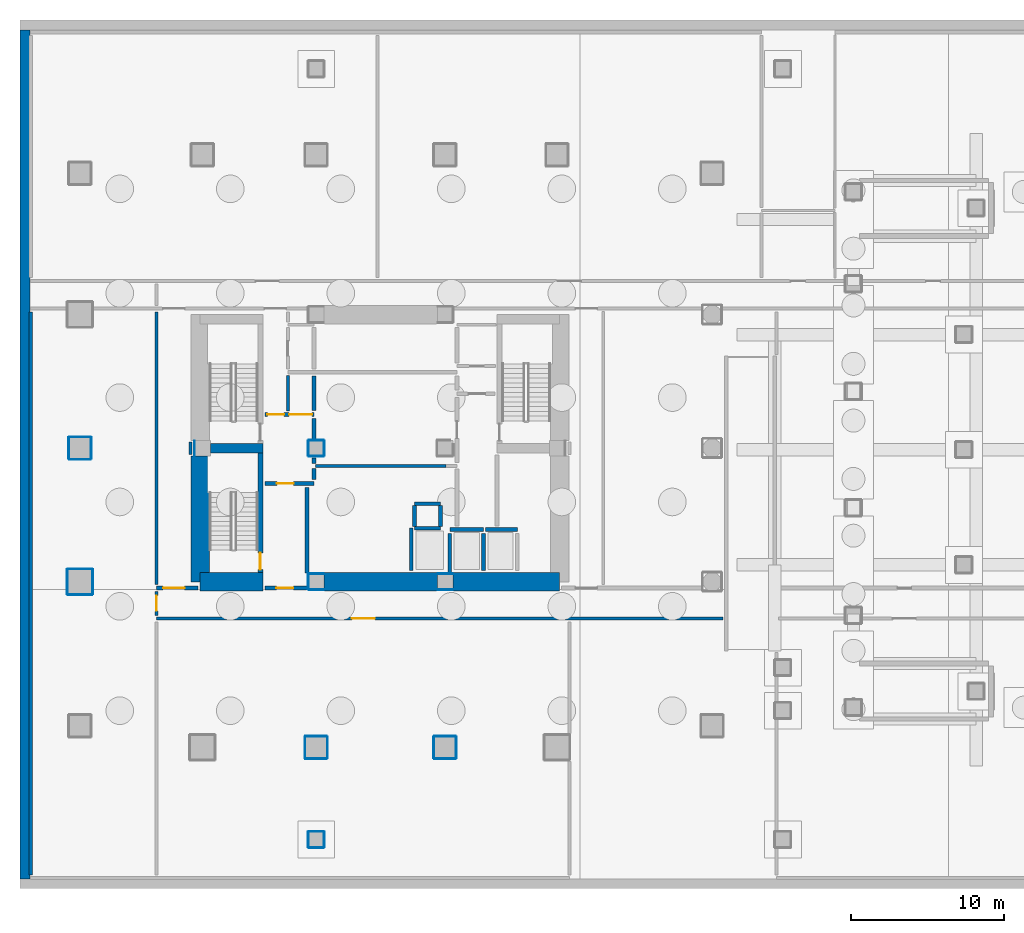
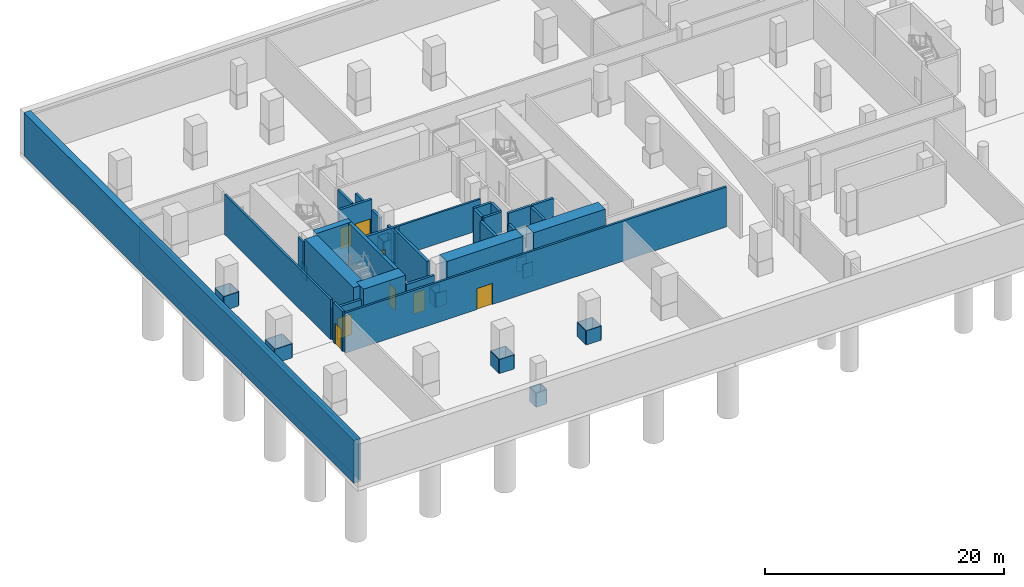
# One storey, part 3 of 13: 62 walls, 8 doors, 8 openings.
"""IFC4 building model written with IfcOpenShell, lengths in metres."""

from ifc_helpers import new_model, si_unit, direction, frame, frame_2d, origin, place, context, subcontext, project, spatial, rectangle, extrude, material, layer, layer_set, type_object, element, fill, save


model = new_model("IFC4")

# Units and contexts
model_context = context("Model", 3, precision=1e-05, world=origin(), true_north=direction((0.0, 1.0)))
body_context = subcontext(model_context, "Body", "Model", "MODEL_VIEW")
ifc_project = project(units=[si_unit("LENGTHUNIT", "METRE"), si_unit("AREAUNIT", "SQUARE_METRE"), si_unit("VOLUMEUNIT", "CUBIC_METRE"), si_unit("PLANEANGLEUNIT", "RADIAN"), si_unit("MASSUNIT", "GRAM", prefix="KILO")], contexts=[model_context])

# Site, building, storey
site_placement = place(None, origin())
site = spatial("IfcSite", under=ifc_project, at=site_placement, CompositionType="ELEMENT")
building_placement = place(site_placement, origin())
building = spatial("IfcBuilding", under=site, at=building_placement, Name="Solanera Arch Residences", CompositionType="ELEMENT")
storey_placement = place(building_placement, frame((0.0, 0.0, -13.199951171875)))
storey = spatial("IfcBuildingStorey", under=building, at=storey_placement, Name="B03", CompositionType="ELEMENT", Elevation=-13.199951171875)

# Walls
ifc_material_1 = material(Name="Fire-Rated Gypsum Stud Partition", Category="gypsum")
ifc_layer_1 = layer(ifc_material_1, 0.06005859375)
ifc_layer_set_1 = layer_set([ifc_layer_1], Name="Fire-Rated Gypsum Stud Partition")
wall_type_1 = type_object("IfcWallType", Name="Column Acoustic Furring Wall 60", PredefinedType="PARTITIONING", material=ifc_layer_set_1)
for number, where, z_axis, x_axis, name in (
    (1, (20.300048828125, 21.468017578125, 0.0), (0.0, 0.0, 1.0), (1.0, 0.0, 0.0), "B03 Column Furring 1S"),
    (2, (20.300048828125, 22.531982421875, 0.0), (0.0, 0.0, 1.0), (1.0, 0.0, 0.0), "B03 Column Furring 1N"),
):
    element("IfcWall", number, at=place(storey_placement, frame(where, z_axis=z_axis, x_axis=x_axis)), inside=storey, type_object=wall_type_1, Name=name, PredefinedType="PARTITIONING", context=body_context, shape_type="SweptSolid", body=[
        extrude(rectangle(XDim=0.989990234375, YDim=0.06005859375, at=frame_2d((0.4951171875, 0.0))), origin(), (0.0, 0.0, 1.0), 1.449951171875),
    ])
wall_1_placement = place(storey_placement, frame((20.26806640625, 21.5, 0.0), z_axis=(0.0, 0.0, 1.0), x_axis=(0.0, 1.0, 0.0)))
element("IfcWall", 3, at=wall_1_placement, inside=storey, type_object=wall_type_1, Name="B03 Column Furring 1W", PredefinedType="PARTITIONING", context=body_context, shape_type="SweptSolid", body=[
    extrude(rectangle(XDim=1.0, YDim=0.06005859375, at=frame_2d((0.5, 0.0))), origin(), (0.0, 0.0, 1.0), 1.449951171875),
])
for number, where, z_axis, x_axis, name in (
    (4, (28.7099609375, 21.468017578125, 0.0), (0.0, 0.0, 1.0), (1.0, 0.0, 0.0), "B03 Column Furring 2S"),
    (5, (28.7099609375, 22.531982421875, 0.0), (0.0, 0.0, 1.0), (1.0, 0.0, 0.0), "B03 Column Furring 2N"),
    (6, (12.867919921875, 30.2099609375, 0.0), (0.0, 0.0, 1.0), (0.0, 1.0, 0.0), "B03 Column Furring 5W"),
):
    element("IfcWall", number, at=place(storey_placement, frame(where, z_axis=z_axis, x_axis=x_axis)), inside=storey, type_object=wall_type_1, Name=name, PredefinedType="PARTITIONING", context=body_context, shape_type="SweptSolid", body=[
        extrude(rectangle(XDim=0.97998046875, YDim=0.06005859375, at=frame_2d((0.489990234375, 0.0))), origin(), (0.0, 0.0, 1.0), 1.449951171875),
    ])
for number, where, z_axis, x_axis, name in (
    (7, (20.300048828125, 30.16796875, 0.0), (0.0, 0.0, 1.0), (1.0, 0.0, 0.0), "B03 Column Furring 7S"),
    (8, (20.300048828125, 31.23193359375, 0.0), (0.0, 0.0, 1.0), (1.0, 0.0, 0.0), "B03 Column Furring 7N"),
    (9, (20.26806640625, 30.199951171875, 0.0), (0.0, 0.0, 1.0), (0.0, 1.0, 0.0), "B03 Column Furring 7W"),
    (10, (21.33203125, 30.199951171875, 0.0), (0.0, 0.0, 1.0), (0.0, 1.0, 0.0), "B03 Column Furring 7E"),
):
    element("IfcWall", number, at=place(storey_placement, frame(where, z_axis=z_axis, x_axis=x_axis)), inside=storey, type_object=wall_type_1, Name=name, PredefinedType="PARTITIONING", context=body_context, shape_type="SweptSolid", body=[
        extrude(rectangle(XDim=1.0, YDim=0.06005859375, at=frame_2d((0.5, 0.0))), origin(), (0.0, 0.0, 1.0), 1.449951171875),
    ])
for number, where, z_axis, x_axis, name in (
    (11, (4.60009765625, 21.16796875, 0.0), (0.0, 0.0, 1.0), (1.0, 0.0, 0.0), "B03 Column Furring 15S"),
    (12, (4.60009765625, 22.83203125, 0.0), (0.0, 0.0, 1.0), (1.0, 0.0, 0.0), "B03 Column Furring 15N"),
):
    element("IfcWall", number, at=place(storey_placement, frame(where, z_axis=z_axis, x_axis=x_axis)), inside=storey, type_object=wall_type_1, Name=name, PredefinedType="PARTITIONING", context=body_context, shape_type="SweptSolid", body=[
        extrude(rectangle(XDim=1.599853515625, YDim=0.06005859375, at=frame_2d((0.7998046875, 0.0))), origin(), (0.0, 0.0, 1.0), 1.449951171875),
    ])
for number, where, z_axis, x_axis, name in (
    (13, (4.568115234375, 21.199951171875, 0.0), (0.0, 0.0, 1.0), (0.0, 1.0, 0.0), "B03 Column Furring 15W"),
    (14, (6.23193359375, 21.199951171875, 0.0), (0.0, 0.0, 1.0), (0.0, 1.0, 0.0), "B03 Column Furring 15E"),
):
    element("IfcWall", number, at=place(storey_placement, frame(where, z_axis=z_axis, x_axis=x_axis)), inside=storey, type_object=wall_type_1, Name=name, PredefinedType="PARTITIONING", context=body_context, shape_type="SweptSolid", body=[
        extrude(rectangle(XDim=1.60009765625, YDim=0.06005859375, at=frame_2d((0.800048828125, 0.0))), origin(), (0.0, 0.0, 1.0), 1.449951171875),
    ])
for number, where, z_axis, x_axis, name in (
    (15, (4.699951171875, 29.968017578125, 0.0), (0.0, 0.0, 1.0), (1.0, 0.0, 0.0), "B03 Column Furring 16S"),
    (16, (4.699951171875, 31.431884765625, 0.0), (0.0, 0.0, 1.0), (1.0, 0.0, 0.0), "B03 Column Furring 16N"),
):
    element("IfcWall", number, at=place(storey_placement, frame(where, z_axis=z_axis, x_axis=x_axis)), inside=storey, type_object=wall_type_1, Name=name, PredefinedType="PARTITIONING", context=body_context, shape_type="SweptSolid", body=[
        extrude(rectangle(XDim=1.400146484375, YDim=0.06005859375, at=frame_2d((0.7001953125, 0.0))), origin(), (0.0, 0.0, 1.0), 1.449951171875),
    ])
for number, where, z_axis, x_axis, name in (
    (17, (4.66796875, 30.0, 0.0), (0.0, 0.0, 1.0), (0.0, 1.0, 0.0), "B03 Column Furring 16W"),
    (18, (6.132080078125, 30.0, 0.0), (0.0, 0.0, 1.0), (0.0, 1.0, 0.0), "B03 Column Furring 16E"),
    (19, (20.10009765625, 10.468017578125, 0.0), (0.0, 0.0, 1.0), (1.0, 0.0, 0.0), "B03 Column Furring 25S"),
    (20, (20.10009765625, 11.931884765625, 0.0), (0.0, 0.0, 1.0), (1.0, 0.0, 0.0), "B03 Column Furring 25N"),
    (21, (20.068115234375, 10.5, 0.0), (0.0, 0.0, 1.0), (0.0, 1.0, 0.0), "B03 Column Furring 25W"),
    (22, (21.531982421875, 10.5, 0.0), (0.0, 0.0, 1.0), (0.0, 1.0, 0.0), "B03 Column Furring 25E"),
    (23, (28.5, 10.468017578125, 0.0), (0.0, 0.0, 1.0), (1.0, 0.0, 0.0), "B03 Column Furring 26S"),
    (24, (28.5, 11.931884765625, 0.0), (0.0, 0.0, 1.0), (1.0, 0.0, 0.0), "B03 Column Furring 26N"),
    (25, (28.468017578125, 10.5, 0.0), (0.0, 0.0, 1.0), (0.0, 1.0, 0.0), "B03 Column Furring 26W"),
    (26, (29.931884765625, 10.5, 0.0), (0.0, 0.0, 1.0), (0.0, 1.0, 0.0), "B03 Column Furring 26E"),
):
    element("IfcWall", number, at=place(storey_placement, frame(where, z_axis=z_axis, x_axis=x_axis)), inside=storey, type_object=wall_type_1, Name=name, PredefinedType="PARTITIONING", context=body_context, shape_type="SweptSolid", body=[
        extrude(rectangle(XDim=1.39990234375, YDim=0.06005859375, at=frame_2d((0.699951171875, 0.0))), origin(), (0.0, 0.0, 1.0), 1.449951171875),
    ])
for number, where, z_axis, x_axis, name in (
    (27, (20.300048828125, 4.66796875, 0.0), (0.0, 0.0, 1.0), (1.0, 0.0, 0.0), "B03 Column Furring 35S"),
    (28, (20.300048828125, 5.73193359375, 0.0), (0.0, 0.0, 1.0), (1.0, 0.0, 0.0), "B03 Column Furring 35N"),
    (29, (20.26806640625, 4.699951171875, 0.0), (0.0, 0.0, 1.0), (0.0, 1.0, 0.0), "B03 Column Furring 35W"),
    (30, (21.33203125, 4.699951171875, 0.0), (0.0, 0.0, 1.0), (0.0, 1.0, 0.0), "B03 Column Furring 35E"),
):
    element("IfcWall", number, at=place(storey_placement, frame(where, z_axis=z_axis, x_axis=x_axis)), inside=storey, type_object=wall_type_1, Name=name, PredefinedType="PARTITIONING", context=body_context, shape_type="SweptSolid", body=[
        extrude(rectangle(XDim=1.0, YDim=0.06005859375, at=frame_2d((0.5, 0.0))), origin(), (0.0, 0.0, 1.0), 1.449951171875),
    ])
ifc_material_2 = material(Name="Concrete C55/67 (f'c = 60 MPa)", Category="concrete")
ifc_layer_2 = layer(ifc_material_2, 1.199951171875)
ifc_layer_set_2 = layer_set([ifc_layer_2], Name="Concrete C55/67 (f'c = 60 MPa)")
wall_type_2 = type_object("IfcWallType", Name="Core Shear Wall CW-1200", PredefinedType="SHEAR", material=ifc_layer_set_2)
wall_2_placement = place(storey_placement, frame((13.239990234375, 22.0, 0.0), z_axis=(0.0, 0.0, 1.0), x_axis=(0.0, 1.0, 0.0)))
element("IfcWall", 31, at=wall_2_placement, inside=storey, type_object=wall_type_2, Name="B03 West Core South Shear Wall", PredefinedType="SHEAR", context=body_context, shape_type="SweptSolid", body=[
    extrude(rectangle(XDim=8.195068359375, YDim=1.199951171875, at=frame_2d((4.09765625, 0.0))), origin(), (0.0, 0.0, 1.0), 4.39990234375),
])
wall_3_placement = place(storey_placement, frame((13.239990234375, 22.0, 0.0), z_axis=(0.0, 0.0, 1.0), x_axis=(1.0, 0.0, 0.0)))
element("IfcWall", 32, at=wall_3_placement, inside=storey, type_object=wall_type_2, Name="B03 South-West Core Shear Wall", PredefinedType="SHEAR", context=body_context, shape_type="SweptSolid", body=[
    extrude(rectangle(XDim=4.080078125, YDim=1.199951171875, at=frame_2d((2.0400390625, 0.0))), origin(), (0.0, 0.0, 1.0), 4.39990234375),
])
wall_4_placement = place(storey_placement, frame((29.705078125, 22.0, 0.0), z_axis=(0.0, 0.0, 1.0), x_axis=(1.0, 0.0, 0.0)))
element("IfcWall", 33, at=wall_4_placement, inside=storey, type_object=wall_type_2, Name="B03 South-East Core Shear Wall", PredefinedType="SHEAR", context=body_context, shape_type="SweptSolid", body=[
    extrude(rectangle(XDim=6.954833984375, YDim=1.199951171875, at=frame_2d((3.4775390625, 0.0))), origin(), (0.0, 0.0, 1.0), 4.39990234375),
])
wall_5_placement = place(storey_placement, frame((21.304931640625, 22.0, 0.0), z_axis=(0.0, 0.0, 1.0), x_axis=(1.0, 0.0, 0.0)))
element("IfcWall", 34, at=wall_5_placement, inside=storey, type_object=wall_type_2, Name="B03 Central South Core Shear Wall", PredefinedType="SHEAR", context=body_context, shape_type="SweptSolid", body=[
    extrude(rectangle(XDim=7.39013671875, YDim=1.199951171875, at=frame_2d((3.695068359375, 0.0))), origin(), (0.0, 0.0, 1.0), 4.39990234375),
])

# Wall, opening, door
ifc_material_3 = material(Name="Concrete C40/50 (f'c = 45 MPa)", Category="concrete")
ifc_layer_3 = layer(ifc_material_3, 0.320068359375)
ifc_layer_set_3 = layer_set([ifc_layer_3], Name="Concrete C40/50 (f'c = 45 MPa)")
wall_type_3 = type_object("IfcWallType", Name="Core Shear Wall CW-320", PredefinedType="SHEAR", material=ifc_layer_set_3)
wall_6_placement = place(storey_placement, frame((17.159912109375, 22.60009765625, 0.0), z_axis=(0.0, 0.0, 1.0), x_axis=(0.0, 1.0, 0.0)))
wall_6 = element("IfcWall", 35, at=wall_6_placement, inside=storey, type_object=wall_type_3, Name="B03 Stair ST-T3 East Shear Wall", PredefinedType="SHEAR", context=body_context, shape_type="SweptSolid", body=[
    extrude(rectangle(XDim=7.7998046875, YDim=0.320068359375, at=frame_2d((3.89990234375, 0.0))), origin(), (0.0, 0.0, 1.0), 4.39990234375),
])
opening_1_placement = place(wall_6_placement, frame((0.18994140625, 0.0, 0.0)))
opening_1 = element("IfcOpeningElement", 36, at=opening_1_placement, cuts=wall_6, Name="Opening DF-01", PredefinedType="OPENING", context=body_context, shape_type="SweptSolid", body=[
    extrude(rectangle(XDim=1.10009765625, YDim=2.14990234375, at=frame_2d((0.550048828125, 1.074951171875))), frame((0.0, 0.169921875, 0.0), z_axis=(0.0, -1.0, 0.0), x_axis=(1.0, 0.0, 0.0)), (0.0, 0.0, 1.0), 0.3401),
])
ifc_material_4 = material(Name="Fire-Rated Architectural Hardwood", Category="wood")
door_type_1 = type_object("IfcDoorType", Name="Stair Exit Fire Door DF-01", OperationType="NOTDEFINED", PredefinedType="DOOR", material=ifc_material_4)
door_1_placement = place(opening_1_placement, origin())
door_1 = element("IfcDoor", 37, at=door_1_placement, inside=storey, type_object=door_type_1, Name="DR-B03-STAIR-ST-T3", OperationType="SINGLE_SWING_RIGHT", OverallHeight=2.14990234375, OverallWidth=1.10009765625, PredefinedType="DOOR", context=body_context, shape_type="SweptSolid", body=[
    extrude(rectangle(XDim=1.10009765625, YDim=2.14990234375, at=frame_2d((0.550048828125, 1.074951171875))), frame((0.0, 0.02490234375, 0.0), z_axis=(0.0, -1.0, 0.0), x_axis=(1.0, 0.0, 0.0)), (0.0, 0.0, 1.0), 0.050048828125),
])
fill(opening_1, door_1)

# Walls
ifc_material_5 = material(Name="Concrete C40/50 (f'c = 45 MPa)", Category="concrete")
ifc_layer_4 = layer(ifc_material_5, 0.60009765625)
ifc_layer_set_4 = layer_set([ifc_layer_4], Name="Concrete C40/50 (f'c = 45 MPa)")
wall_type_4 = type_object("IfcWallType", Name="Core Shear Wall CW-600", PredefinedType="SHEAR", material=ifc_layer_set_4)
wall_7_placement = place(storey_placement, frame((13.905029296875, 30.699951171875, 0.0), z_axis=(0.0, 0.0, 1.0), x_axis=(1.0, 0.0, 0.0)))
element("IfcWall", 38, at=wall_7_placement, inside=storey, type_object=wall_type_4, Name="B03 West Stair Divider Shear Wall", PredefinedType="SHEAR", context=body_context, shape_type="SweptSolid", body=[
    extrude(rectangle(XDim=3.4150390625, YDim=0.60009765625, at=frame_2d((1.70751953125, 0.0))), origin(), (0.0, 0.0, 1.0), 4.39990234375),
])
ifc_material_6 = material(Name="Autoclaved Aerated Concrete Blockwork", Category="masonry")
ifc_layer_5 = layer(ifc_material_6, 0.179931640625)
ifc_layer_set_5 = layer_set([ifc_layer_5], Name="Autoclaved Aerated Concrete Blockwork")
wall_type_5 = type_object("IfcWallType", Name="Corridor Fire Partition 180", PredefinedType="PARTITIONING", material=ifc_layer_set_5)
wall_8_placement = place(storey_placement, frame((20.760009765625, 29.550048828125, 0.0), z_axis=(0.0, 0.0, 1.0), x_axis=(1.0, 0.0, 0.0)))
element("IfcWall", 39, at=wall_8_placement, inside=storey, type_object=wall_type_5, Name="B03 Interior Partition H16 1", PredefinedType="PARTITIONING", context=body_context, shape_type="SweptSolid", body=[
    extrude(rectangle(XDim=8.47998046875, YDim=0.179931640625, at=frame_2d((4.239990234375, 0.0))), origin(), (0.0, 0.0, 1.0), 3.135009765625),
])
wall_9_placement = place(storey_placement, frame((12.60009765625, 30.287109375, 0.0), z_axis=(0.0, 0.0, 1.0), x_axis=(0.0, 1.0, 0.0)))
element("IfcWall", 40, at=wall_9_placement, inside=storey, type_object=wall_type_5, Name="B03 Interior Partition V17", PredefinedType="PARTITIONING", context=body_context, shape_type="SweptSolid", body=[
    extrude(rectangle(XDim=0.825927734375, YDim=0.179931640625, at=frame_2d((0.4130859375, 0.0))), origin(), (0.0, 0.0, 1.0), 4.099853515625),
])

# Wall, opening, door
ifc_material_7 = material(Name="Autoclaved Aerated Concrete Blockwork", Category="masonry")
ifc_layer_6 = layer(ifc_material_7, 0.199951171875)
ifc_layer_set_6 = layer_set([ifc_layer_6], Name="Autoclaved Aerated Concrete Blockwork")
wall_type_6 = type_object("IfcWallType", Name="Party Wall Acoustic 200", PredefinedType="PARTITIONING", material=ifc_layer_set_6)
wall_10_placement = place(storey_placement, frame((10.39990234375, 19.60009765625, 0.0), z_axis=(0.0, 0.0, 1.0), x_axis=(1.0, 0.0, 0.0)))
wall_10 = element("IfcWall", 41, at=wall_10_placement, inside=storey, type_object=wall_type_6, Name="B03 Interior Partition H9", PredefinedType="PARTITIONING", context=body_context, shape_type="SweptSolid", body=[
    extrude(rectangle(XDim=36.89208984375, YDim=0.199951171875, at=frame_2d((18.446044921875, 0.0))), origin(), (0.0, 0.0, 1.0), 4.099853515625),
])
opening_2_placement = place(wall_10_placement, frame((12.72412109375, 0.0, 0.0)))
opening_2 = element("IfcOpeningElement", 42, at=opening_2_placement, cuts=wall_10, Name="Opening DP-01", PredefinedType="OPENING", context=body_context, shape_type="SweptSolid", body=[
    extrude(rectangle(XDim=1.5, YDim=2.14990234375, at=frame_2d((0.75, 1.074951171875))), frame((0.0, 0.110107421875, 0.0), z_axis=(0.0, -1.0, 0.0), x_axis=(1.0, 0.0, 0.0)), (0.0, 0.0, 1.0), 0.22),
])
ifc_material_8 = material(Name="Fire-Rated Architectural Hardwood", Category="wood")
door_type_2 = type_object("IfcDoorType", Name="Plant Double Fire Door DP-01", OperationType="NOTDEFINED", PredefinedType="DOOR", material=ifc_material_8)
door_2_placement = place(opening_2_placement, origin())
door_2 = element("IfcDoor", 43, at=door_2_placement, inside=storey, type_object=door_type_2, Name="DR-B03-IN-022", OperationType="SINGLE_SWING_LEFT", OverallHeight=2.14990234375, OverallWidth=1.5, PredefinedType="DOOR", context=body_context, shape_type="SweptSolid", body=[
    extrude(rectangle(XDim=1.5, YDim=2.14990234375, at=frame_2d((0.75, 1.074951171875))), frame((0.0, 0.02490234375, 0.0), z_axis=(0.0, -1.0, 0.0), x_axis=(1.0, 0.0, 0.0)), (0.0, 0.0, 1.0), 0.050048828125),
])
fill(opening_2, door_2)

# Wall
wall_11_placement = place(storey_placement, frame((2.199951171875, 2.907958984375, 0.0), z_axis=(0.0, 0.0, 1.0), x_axis=(0.0, 1.0, 0.0)))
element("IfcWall", 44, at=wall_11_placement, inside=storey, type_object=wall_type_6, Name="B03 Interior Partition V6", PredefinedType="PARTITIONING", context=body_context, shape_type="SweptSolid", body=[
    extrude(rectangle(XDim=36.68408203125, YDim=0.199951171875, at=frame_2d((18.342041015625, 0.0))), origin(), (0.0, 0.0, 1.0), 4.099853515625),
])

# Wall, opening, door
wall_12_placement = place(storey_placement, frame((10.39990234375, 19.80810546875, 0.0), z_axis=(0.0, 0.0, 1.0), x_axis=(0.0, 1.0, 0.0)))
wall_12 = element("IfcWall", 45, at=wall_12_placement, inside=storey, type_object=wall_type_6, Name="B03 Interior Partition V8 2", PredefinedType="PARTITIONING", context=body_context, shape_type="SweptSolid", body=[
    extrude(rectangle(XDim=1.56396484375, YDim=0.199951171875, at=frame_2d((0.781982421875, 0.0))), origin(), (0.0, 0.0, 1.0), 4.099853515625),
])
opening_3_placement = place(wall_12_placement, frame((0.2919921875, 0.0, 0.0)))
opening_3 = element("IfcOpeningElement", 46, at=opening_3_placement, cuts=wall_12, Name="Opening DI-01", PredefinedType="OPENING", context=body_context, shape_type="SweptSolid", body=[
    extrude(rectangle(XDim=1.0, YDim=2.14990234375, at=frame_2d((0.5, 1.074951171875))), frame((0.0, 0.110107421875, 0.0), z_axis=(0.0, -1.0, 0.0), x_axis=(1.0, 0.0, 0.0)), (0.0, 0.0, 1.0), 0.22),
])
ifc_material_9 = material(Name="Fire-Rated Architectural Hardwood", Category="wood")
door_type_3 = type_object("IfcDoorType", Name="Unit Entrance Fire Door DI-01", OperationType="NOTDEFINED", PredefinedType="DOOR", material=ifc_material_9)
door_3_placement = place(opening_3_placement, origin())
door_3 = element("IfcDoor", 47, at=door_3_placement, inside=storey, type_object=door_type_3, Name="DR-B03-IN-019", OperationType="SINGLE_SWING_RIGHT", OverallHeight=2.14990234375, OverallWidth=1.0, PredefinedType="DOOR", context=body_context, shape_type="SweptSolid", body=[
    extrude(rectangle(XDim=1.0, YDim=2.14990234375, at=frame_2d((0.5, 1.074951171875))), frame((0.0, 0.02490234375, 0.0), z_axis=(0.0, -1.0, 0.0), x_axis=(1.0, 0.0, 0.0)), (0.0, 0.0, 1.0), 0.050048828125),
])
fill(opening_3, door_3)

# Walls
wall_13_placement = place(storey_placement, frame((10.39990234375, 21.827880859375, 0.0), z_axis=(0.0, 0.0, 1.0), x_axis=(0.0, 1.0, 0.0)))
element("IfcWall", 48, at=wall_13_placement, inside=storey, type_object=wall_type_6, Name="B03 Interior Partition V8 3", PredefinedType="PARTITIONING", context=body_context, shape_type="SweptSolid", body=[
    extrude(rectangle(XDim=17.76416015625, YDim=0.199951171875, at=frame_2d((8.882080078125, 0.0))), origin(), (0.0, 0.0, 1.0), 4.099853515625),
])
wall_14_placement = place(storey_placement, frame((18.949951171875, 33.1279296875, 0.0), z_axis=(0.0, 0.0, 1.0), x_axis=(0.0, 1.0, 0.0)))
element("IfcWall", 49, at=wall_14_placement, inside=storey, type_object=wall_type_6, Name="B03 Interior Partition V9 1", PredefinedType="PARTITIONING", context=body_context, shape_type="SweptSolid", body=[
    extrude(rectangle(XDim=2.31396484375, YDim=0.199951171875, at=frame_2d((1.156982421875, 0.0))), origin(), (0.0, 0.0, 1.0), 4.099853515625),
])
ifc_material_10 = material(Name="Concrete C40/50 (f'c = 45 MPa)", Category="concrete")
ifc_layer_7 = layer(ifc_material_10, 0.239990234375)
ifc_layer_set_7 = layer_set([ifc_layer_7], Name="Concrete C40/50 (f'c = 45 MPa)")
wall_type_7 = type_object("IfcWallType", Name="Ramp Bearing Shear Wall RW-240", PredefinedType="SHEAR", material=ifc_layer_set_7)
for number, where, z_axis, x_axis, name in (
    (50, (27.199951171875, 25.47998046875, 0.0), (0.0, 0.0, 1.0), (1.0, 0.0, 0.0), "B03 Core MEP Riser South Shaft Wall"),
    (51, (27.199951171875, 27.080078125, 0.0), (0.0, 0.0, 1.0), (1.0, 0.0, 0.0), "B03 Core MEP Riser North Shaft Wall"),
):
    element("IfcWall", number, at=place(storey_placement, frame(where, z_axis=z_axis, x_axis=x_axis)), inside=storey, type_object=wall_type_7, Name=name, PredefinedType="SHEAR", context=body_context, shape_type="SweptSolid", body=[
        extrude(rectangle(XDim=1.699951171875, YDim=0.239990234375, at=frame_2d((0.85009765625, 0.0))), origin(), (0.0, 0.0, 1.0), 4.39990234375),
    ])
for number, where, z_axis, x_axis, name in (
    (52, (27.199951171875, 25.60009765625, 0.0), (0.0, 0.0, 1.0), (0.0, 1.0, 0.0), "B03 Core MEP Riser West Shaft Wall"),
    (53, (28.89990234375, 25.60009765625, 0.0), (0.0, 0.0, 1.0), (0.0, 1.0, 0.0), "B03 Core MEP Riser East Shaft Wall"),
):
    element("IfcWall", number, at=place(storey_placement, frame(where, z_axis=z_axis, x_axis=x_axis)), inside=storey, type_object=wall_type_7, Name=name, PredefinedType="SHEAR", context=body_context, shape_type="SweptSolid", body=[
        extrude(rectangle(XDim=1.35986328125, YDim=0.239990234375, at=frame_2d((0.679931640625, 0.0))), origin(), (0.0, 0.0, 1.0), 4.39990234375),
    ])
ifc_material_11 = material(Name="Autoclaved Aerated Concrete Blockwork", Category="masonry")
ifc_layer_8 = layer(ifc_material_11, 0.239990234375)
ifc_layer_set_8 = layer_set([ifc_layer_8], Name="Autoclaved Aerated Concrete Blockwork")
wall_type_8 = type_object("IfcWallType", Name="Shaft Wall Fire-Rated 240", PredefinedType="PARTITIONING", material=ifc_layer_set_8)
wall_15_placement = place(storey_placement, frame((29.5, 25.39990234375, 0.0), z_axis=(0.0, 0.0, 1.0), x_axis=(1.0, 0.0, 0.0)))
element("IfcWall", 54, at=wall_15_placement, inside=storey, type_object=wall_type_8, Name="B03 Lift FFL-1 Hoistway Wall N", PredefinedType="PARTITIONING", context=body_context, shape_type="SweptSolid", body=[
    extrude(rectangle(XDim=2.199951171875, YDim=0.239990234375, at=frame_2d((1.10009765625, 0.0))), origin(), (0.0, 0.0, 1.0), 4.099853515625),
])
wall_16_placement = place(storey_placement, frame((29.5, 22.632080078125, 0.0), z_axis=(0.0, 0.0, 1.0), x_axis=(0.0, 1.0, 0.0)))
element("IfcWall", 55, at=wall_16_placement, inside=storey, type_object=wall_type_8, Name="B03 Lift FFL-1 Hoistway Wall W", PredefinedType="PARTITIONING", context=body_context, shape_type="SweptSolid", body=[
    extrude(rectangle(XDim=2.52001953125, YDim=0.239990234375, at=frame_2d((1.260009765625, 0.0))), origin(), (0.0, 0.0, 1.0), 3.135009765625),
])
wall_17_placement = place(storey_placement, frame((31.699951171875, 22.72998046875, 0.0), z_axis=(0.0, 0.0, 1.0), x_axis=(0.0, 1.0, 0.0)))
element("IfcWall", 56, at=wall_17_placement, inside=storey, type_object=wall_type_8, Name="B03 Lift FFL-1 Hoistway Wall E", PredefinedType="PARTITIONING", context=body_context, shape_type="SweptSolid", body=[
    extrude(rectangle(XDim=2.422119140625, YDim=0.239990234375, at=frame_2d((1.2109375, 0.0))), origin(), (0.0, 0.0, 1.0), 4.099853515625),
])
wall_18_placement = place(storey_placement, frame((31.827880859375, 25.39990234375, 0.0), z_axis=(0.0, 0.0, 1.0), x_axis=(1.0, 0.0, 0.0)))
element("IfcWall", 57, at=wall_18_placement, inside=storey, type_object=wall_type_8, Name="B03 Lift FFL-2 Hoistway Wall N", PredefinedType="PARTITIONING", context=body_context, shape_type="SweptSolid", body=[
    extrude(rectangle(XDim=2.072021484375, YDim=0.239990234375, at=frame_2d((1.0361328125, 0.0))), origin(), (0.0, 0.0, 1.0), 4.099853515625),
])
wall_19_placement = place(storey_placement, frame((27.0, 22.72998046875, 0.0), z_axis=(0.0, 0.0, 1.0), x_axis=(0.0, 1.0, 0.0)))
element("IfcWall", 58, at=wall_19_placement, inside=storey, type_object=wall_type_8, Name="B03 Lift SVL-1 Hoistway Wall W", PredefinedType="PARTITIONING", context=body_context, shape_type="SweptSolid", body=[
    extrude(rectangle(XDim=2.76806640625, YDim=0.239990234375, at=frame_2d((1.384033203125, 0.0))), origin(), (0.0, 0.0, 1.0), 4.099853515625),
])

# Wall, opening, door
wall_20_placement = place(storey_placement, frame((10.39990234375, 21.60009765625, 0.0), z_axis=(0.0, 0.0, 1.0), x_axis=(1.0, 0.0, 0.0)))
wall_20 = element("IfcWall", 59, at=wall_20_placement, inside=storey, type_object=wall_type_8, Name="B03 Interior Partition H1 1", PredefinedType="PARTITIONING", context=body_context, shape_type="SweptSolid", body=[
    extrude(rectangle(XDim=2.710205078125, YDim=0.239990234375, at=frame_2d((1.35498046875, 0.0))), origin(), (0.0, 0.0, 1.0), 3.3349609375),
])
opening_4_placement = place(wall_20_placement, frame((0.424072265625, 0.0, 0.0)))
opening_4 = element("IfcOpeningElement", 60, at=opening_4_placement, cuts=wall_20, Name="Opening DF-03", PredefinedType="OPENING", context=body_context, shape_type="SweptSolid", body=[
    extrude(rectangle(XDim=1.39990234375, YDim=2.14990234375, at=frame_2d((0.699951171875, 1.074951171875))), frame((0.0, 0.1298828125, 0.0), z_axis=(0.0, -1.0, 0.0), x_axis=(1.0, 0.0, 0.0)), (0.0, 0.0, 1.0), 0.26),
])
ifc_material_12 = material(Name="Fire-Rated Architectural Hardwood", Category="wood")
door_type_4 = type_object("IfcDoorType", Name="Corridor Smoke Door DF-03", OperationType="NOTDEFINED", PredefinedType="DOOR", material=ifc_material_12)
door_4_placement = place(opening_4_placement, origin())
door_4 = element("IfcDoor", 61, at=door_4_placement, inside=storey, type_object=door_type_4, Name="DR-B03-IN-011", OperationType="SINGLE_SWING_RIGHT", OverallHeight=2.14990234375, OverallWidth=1.39990234375, PredefinedType="DOOR", context=body_context, shape_type="SweptSolid", body=[
    extrude(rectangle(XDim=1.39990234375, YDim=2.14990234375, at=frame_2d((0.699951171875, 1.074951171875))), frame((0.0, 0.02490234375, 0.0), z_axis=(0.0, -1.0, 0.0), x_axis=(1.0, 0.0, 0.0)), (0.0, 0.0, 1.0), 0.050048828125),
])
fill(opening_4, door_4)

wall_21_placement = place(storey_placement, frame((17.449951171875, 21.60009765625, 0.0), z_axis=(0.0, 0.0, 1.0), x_axis=(1.0, 0.0, 0.0)))
wall_21 = element("IfcWall", 62, at=wall_21_placement, inside=storey, type_object=wall_type_8, Name="B03 Interior Partition H1 2", PredefinedType="PARTITIONING", context=body_context, shape_type="SweptSolid", body=[
    extrude(rectangle(XDim=2.718017578125, YDim=0.239990234375, at=frame_2d((1.35888671875, 0.0))), origin(), (0.0, 0.0, 1.0), 3.3349609375),
])
opening_5_placement = place(wall_21_placement, frame((0.760009765625, 0.0, 0.0)))
opening_5 = element("IfcOpeningElement", 63, at=opening_5_placement, cuts=wall_21, Name="Opening DF-02", PredefinedType="OPENING", context=body_context, shape_type="SweptSolid", body=[
    extrude(rectangle(XDim=1.10009765625, YDim=2.14990234375, at=frame_2d((0.550048828125, 1.074951171875))), frame((0.0, 0.1298828125, 0.0), z_axis=(0.0, -1.0, 0.0), x_axis=(1.0, 0.0, 0.0)), (0.0, 0.0, 1.0), 0.26),
])
ifc_material_13 = material(Name="Fire-Rated Architectural Hardwood", Category="wood")
door_type_5 = type_object("IfcDoorType", Name="Firefighting Lobby Fire Door DF-02", OperationType="NOTDEFINED", PredefinedType="DOOR", material=ifc_material_13)
door_5_placement = place(opening_5_placement, origin())
door_5 = element("IfcDoor", 64, at=door_5_placement, inside=storey, type_object=door_type_5, Name="DR-B03-IN-009", OperationType="SINGLE_SWING_RIGHT", OverallHeight=2.14990234375, OverallWidth=1.10009765625, PredefinedType="DOOR", context=body_context, shape_type="SweptSolid", body=[
    extrude(rectangle(XDim=1.10009765625, YDim=2.14990234375, at=frame_2d((0.550048828125, 1.074951171875))), frame((0.0, 0.02490234375, 0.0), z_axis=(0.0, -1.0, 0.0), x_axis=(1.0, 0.0, 0.0)), (0.0, 0.0, 1.0), 0.050048828125),
])
fill(opening_5, door_5)

wall_22_placement = place(storey_placement, frame((17.449951171875, 28.39990234375, 0.0), z_axis=(0.0, 0.0, 1.0), x_axis=(1.0, 0.0, 0.0)))
wall_22 = element("IfcWall", 65, at=wall_22_placement, inside=storey, type_object=wall_type_8, Name="B03 Interior Partition H4", PredefinedType="PARTITIONING", context=body_context, shape_type="SweptSolid", body=[
    extrude(rectangle(XDim=3.199951171875, YDim=0.239990234375, at=frame_2d((1.60009765625, 0.0))), origin(), (0.0, 0.0, 1.0), 4.099853515625),
])
opening_6_placement = place(wall_22_placement, frame((0.783935546875, 0.0, 0.0)))
opening_6 = element("IfcOpeningElement", 66, at=opening_6_placement, cuts=wall_22, Name="Opening DF-02", PredefinedType="OPENING", context=body_context, shape_type="SweptSolid", body=[
    extrude(rectangle(XDim=1.10009765625, YDim=2.14990234375, at=frame_2d((0.550048828125, 1.074951171875))), frame((0.0, 0.1298828125, 0.0), z_axis=(0.0, -1.0, 0.0), x_axis=(1.0, 0.0, 0.0)), (0.0, 0.0, 1.0), 0.26),
])
door_6_placement = place(opening_6_placement, origin())
door_6 = element("IfcDoor", 67, at=door_6_placement, inside=storey, type_object=door_type_5, Name="DR-B03-IN-005", OperationType="SINGLE_SWING_RIGHT", OverallHeight=2.14990234375, OverallWidth=1.10009765625, PredefinedType="DOOR", context=body_context, shape_type="SweptSolid", body=[
    extrude(rectangle(XDim=1.10009765625, YDim=2.14990234375, at=frame_2d((0.550048828125, 1.074951171875))), frame((0.0, 0.02490234375, 0.0), z_axis=(0.0, -1.0, 0.0), x_axis=(1.0, 0.0, 0.0)), (0.0, 0.0, 1.0), 0.050048828125),
])
fill(opening_6, door_6)

# Wall, openings, doors
wall_23_placement = place(storey_placement, frame((17.449951171875, 32.89990234375, 0.0), z_axis=(0.0, 0.0, 1.0), x_axis=(1.0, 0.0, 0.0)))
wall_23 = element("IfcWall", 68, at=wall_23_placement, inside=storey, type_object=wall_type_8, Name="B03 Interior Partition H5", PredefinedType="PARTITIONING", context=body_context, shape_type="SweptSolid", body=[
    extrude(rectangle(XDim=3.199951171875, YDim=0.239990234375, at=frame_2d((1.60009765625, 0.0))), origin(), (0.0, 0.0, 1.0), 4.099853515625),
])
opening_7_placement = place(wall_23_placement, frame((0.158935546875, 0.0, 0.0)))
opening_7 = element("IfcOpeningElement", 69, at=opening_7_placement, cuts=wall_23, Name="Opening DF-02", PredefinedType="OPENING", context=body_context, shape_type="SweptSolid", body=[
    extrude(rectangle(XDim=1.10009765625, YDim=2.14990234375, at=frame_2d((0.550048828125, 1.074951171875))), frame((0.0, 0.1298828125, 0.0), z_axis=(0.0, -1.0, 0.0), x_axis=(1.0, 0.0, 0.0)), (0.0, 0.0, 1.0), 0.26),
])
opening_8_placement = place(wall_23_placement, frame((1.575927734375, 0.0, 0.0)))
opening_8 = element("IfcOpeningElement", 70, at=opening_8_placement, cuts=wall_23, Name="Opening DP-01", PredefinedType="OPENING", context=body_context, shape_type="SweptSolid", body=[
    extrude(rectangle(XDim=1.5, YDim=2.14990234375, at=frame_2d((0.75, 1.074951171875))), frame((0.0, 0.1298828125, 0.0), z_axis=(0.0, -1.0, 0.0), x_axis=(1.0, 0.0, 0.0)), (0.0, 0.0, 1.0), 0.26),
])
door_7_placement = place(opening_7_placement, origin())
door_7 = element("IfcDoor", 71, at=door_7_placement, inside=storey, type_object=door_type_5, Name="DR-B03-IN-006", OperationType="SINGLE_SWING_LEFT", OverallHeight=2.14990234375, OverallWidth=1.10009765625, PredefinedType="DOOR", context=body_context, shape_type="SweptSolid", body=[
    extrude(rectangle(XDim=1.10009765625, YDim=2.14990234375, at=frame_2d((0.550048828125, 1.074951171875))), frame((0.0, 0.02490234375, 0.0), z_axis=(0.0, -1.0, 0.0), x_axis=(1.0, 0.0, 0.0)), (0.0, 0.0, 1.0), 0.050048828125),
])
fill(opening_7, door_7)
door_8_placement = place(opening_8_placement, origin())
door_8 = element("IfcDoor", 72, at=door_8_placement, inside=storey, type_object=door_type_2, Name="DR-B03-IN-016", OperationType="SINGLE_SWING_LEFT", OverallHeight=2.14990234375, OverallWidth=1.5, PredefinedType="DOOR", context=body_context, shape_type="SweptSolid", body=[
    extrude(rectangle(XDim=1.5, YDim=2.14990234375, at=frame_2d((0.75, 1.074951171875))), frame((0.0, 0.02490234375, 0.0), z_axis=(0.0, -1.0, 0.0), x_axis=(1.0, 0.0, 0.0)), (0.0, 0.0, 1.0), 0.050048828125),
])
fill(opening_8, door_8)

# Walls
wall_24_placement = place(storey_placement, frame((20.199951171875, 22.5859375, 0.0), z_axis=(0.0, 0.0, 1.0), x_axis=(0.0, 1.0, 0.0)))
element("IfcWall", 73, at=wall_24_placement, inside=storey, type_object=wall_type_8, Name="B03 Interior Partition V2", PredefinedType="PARTITIONING", context=body_context, shape_type="SweptSolid", body=[
    extrude(rectangle(XDim=5.566162109375, YDim=0.239990234375, at=frame_2d((2.783203125, 0.0))), origin(), (0.0, 0.0, 1.0), 4.099853515625),
])
wall_25_placement = place(storey_placement, frame((20.64990234375, 28.64794921875, 0.0), z_axis=(0.0, 0.0, 1.0), x_axis=(0.0, 1.0, 0.0)))
element("IfcWall", 74, at=wall_25_placement, inside=storey, type_object=wall_type_8, Name="B03 Interior Partition V3 1", PredefinedType="PARTITIONING", context=body_context, shape_type="SweptSolid", body=[
    extrude(rectangle(XDim=0.7470703125, YDim=0.239990234375, at=frame_2d((0.37353515625, 0.0))), origin(), (0.0, 0.0, 1.0), 3.135009765625),
])
wall_26_placement = place(storey_placement, frame((20.64990234375, 29.705078125, 0.0), z_axis=(0.0, 0.0, 1.0), x_axis=(0.0, 1.0, 0.0)))
element("IfcWall", 75, at=wall_26_placement, inside=storey, type_object=wall_type_8, Name="B03 Interior Partition V3 2", PredefinedType="PARTITIONING", context=body_context, shape_type="SweptSolid", body=[
    extrude(rectangle(XDim=0.363037109375, YDim=0.239990234375, at=frame_2d((0.181640625, 0.0))), origin(), (0.0, 0.0, 1.0), 3.135009765625),
])
wall_27_placement = place(storey_placement, frame((20.64990234375, 31.33203125, 0.0), z_axis=(0.0, 0.0, 1.0), x_axis=(0.0, 1.0, 0.0)))
element("IfcWall", 76, at=wall_27_placement, inside=storey, type_object=wall_type_8, Name="B03 Interior Partition V3 3", PredefinedType="PARTITIONING", context=body_context, shape_type="SweptSolid", body=[
    extrude(rectangle(XDim=1.320068359375, YDim=0.239990234375, at=frame_2d((0.66015625, 0.0))), origin(), (0.0, 0.0, 1.0), 3.135009765625),
])
wall_28_placement = place(storey_placement, frame((20.64990234375, 33.14794921875, 0.0), z_axis=(0.0, 0.0, 1.0), x_axis=(0.0, 1.0, 0.0)))
element("IfcWall", 77, at=wall_28_placement, inside=storey, type_object=wall_type_8, Name="B03 Interior Partition V3 4", PredefinedType="PARTITIONING", context=body_context, shape_type="SweptSolid", body=[
    extrude(rectangle(XDim=2.274169921875, YDim=0.239990234375, at=frame_2d((1.13720703125, 0.0))), origin(), (0.0, 0.0, 1.0), 3.135009765625),
])
ifc_material_14 = material(Name="Concrete C40/50 (f'c = 45 MPa)", Category="concrete")
ifc_layer_9 = layer(ifc_material_14, 0.64990234375)
ifc_layer_set_9 = layer_set([ifc_layer_9], Name="Concrete C40/50 (f'c = 45 MPa)")
wall_type_9 = type_object("IfcWallType", Name="Solid Exterior Wall Substructure 650", PredefinedType="SOLIDWALL", material=ifc_layer_set_9)
wall_29_placement = place(storey_placement, frame((1.824951171875, 57.949951171875, 0.0), z_axis=(0.0, 0.0, 1.0), x_axis=(0.0, -1.0, 0.0)))
element("IfcWall", 78, at=wall_29_placement, inside=storey, type_object=wall_type_9, Name="B03 West Basement Retaining Wall", PredefinedType="SOLIDWALL", context=body_context, shape_type="SweptSolid", body=[
    extrude(rectangle(XDim=55.300048828125, YDim=0.64990234375, at=frame_2d((27.64990234375, 0.0))), origin(), (0.0, 0.0, 1.0), 4.39990234375),
])

save(model, "model.ifc")
